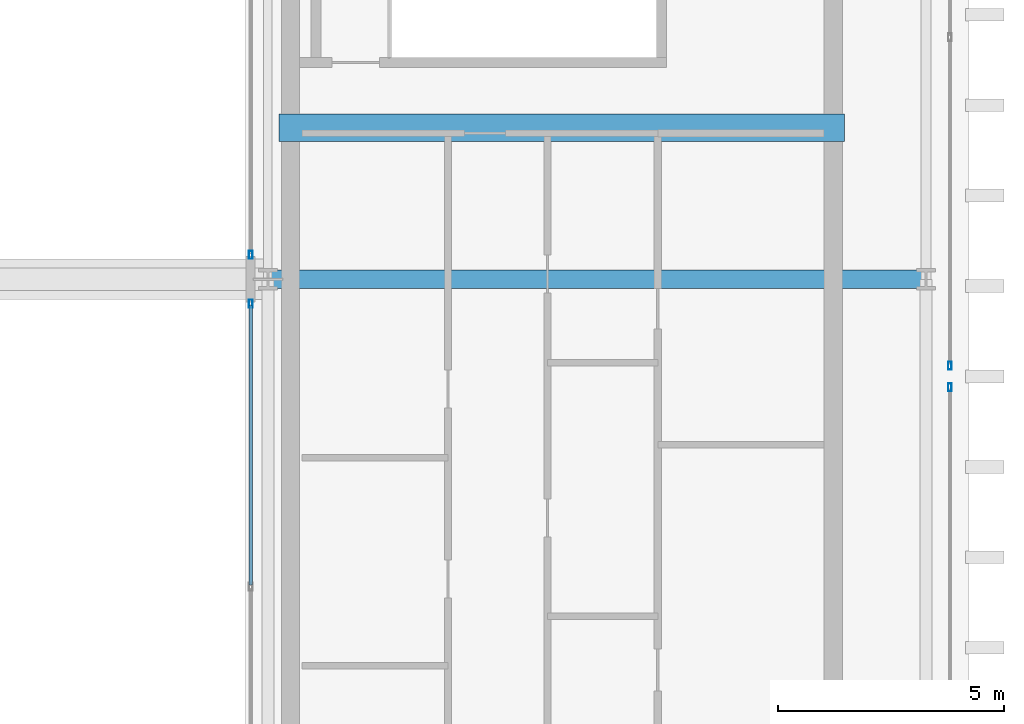
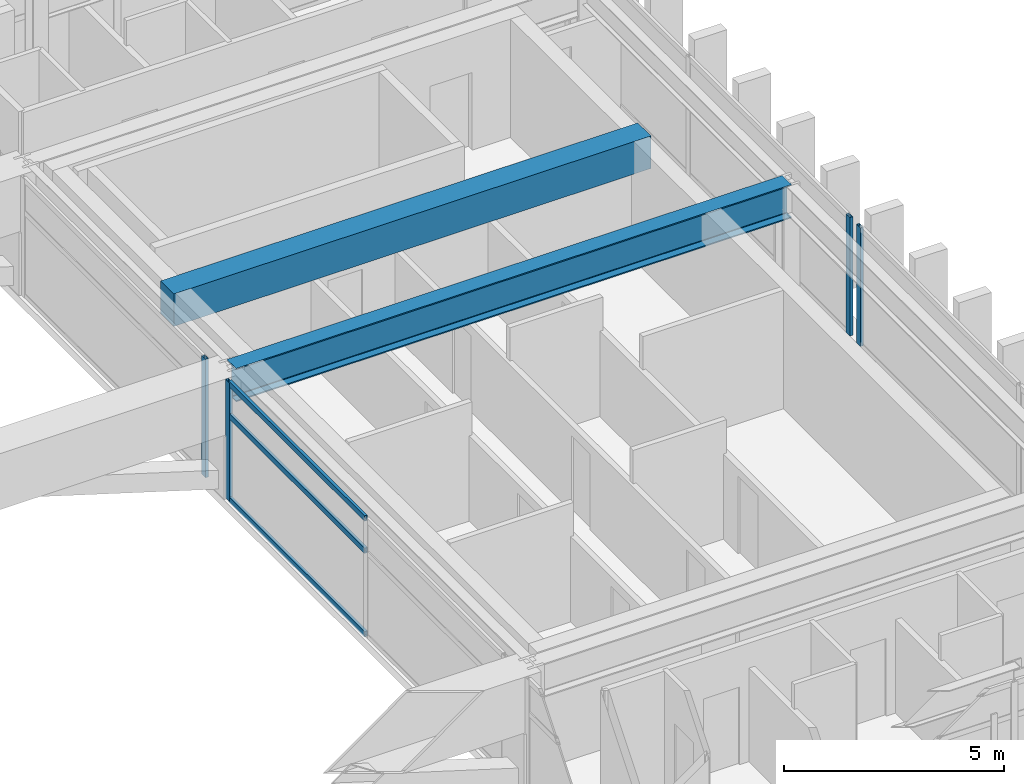
# One storey, part 14 of 28: 7 members, 2 beams, 4 elements without a shape of their own.
"""IFC4 building model written with IfcOpenShell, lengths in metres."""

from ifc_helpers import new_model, si_unit, direction, frame, origin, origin_2d, place, context, subcontext, project, spatial, rectangle, hollow_rectangle, i_section, extrude, source, transform, mapped, material, layer, layer_set, material_profile, profile_set, type_object, element, aggregate, save


model = new_model("IFC4")

# Units and contexts
model_context = context("Model", 3, precision=1e-05, world=origin(), true_north=direction((0.0, 1.0)))
body_context = subcontext(model_context, "Body", "Model", "MODEL_VIEW")
ifc_project = project(units=[si_unit("LENGTHUNIT", "METRE"), si_unit("AREAUNIT", "SQUARE_METRE"), si_unit("VOLUMEUNIT", "CUBIC_METRE"), si_unit("PLANEANGLEUNIT", "RADIAN"), si_unit("MASSUNIT", "GRAM", prefix="KILO")], contexts=[model_context])

# Site, building, storey
site_placement = place(None, origin())
site = spatial("IfcSite", under=ifc_project, at=site_placement, CompositionType="ELEMENT")
building_placement = place(site_placement, origin())
building = spatial("IfcBuilding", under=site, at=building_placement, Name="Ocotamira Hotel", CompositionType="ELEMENT")
storey_placement = place(building_placement, frame((0.0, 0.0, 268.800048828125)))
storey = spatial("IfcBuildingStorey", under=building, at=storey_placement, Name="L68", CompositionType="ELEMENT", Elevation=268.800048828125)

# Beams
ifc_material_1 = material(Name="Concrete C50/60", Category="concrete")
ifc_material_profile_1 = material_profile(ifc_material_1, rectangle(XDim=0.60009765625, YDim=0.89990234375, at=origin_2d()), Name="RC600X900")
ifc_profile_set_1 = profile_set([ifc_material_profile_1], Name="Concrete C50/60")
beam_type_1 = type_object("IfcBeamType", Name="BM-LINK-RC600", PredefinedType="LINTEL", material=ifc_profile_set_1)
shared_shape_1 = source(origin(), body_context, "Body", "SweptSolid", [
    extrude(rectangle(XDim=0.60009765625, YDim=0.89990234375, at=origin_2d()), origin(), (0.0, 0.0, 1.0), 12.5),
])
beam_1_placement = place(storey_placement, frame((40.75, 31.5, 2.829833984375), z_axis=(1.0, 0.0, 0.0), x_axis=(0.0, 1.0, 0.0)))
element("IfcBeam", 1, at=beam_1_placement, inside=storey, type_object=beam_type_1, Name="L68 East Core Coupling Beam", PredefinedType="LINTEL", context=body_context, shape_type="MappedRepresentation", body=[
    mapped(shared_shape_1, transform((0.0, 0.0, 0.0), scale=1.0)),
])
ifc_material_2 = material(Name="Steel ASTM A992 Grade 50", Category="steel")
ifc_material_profile_2 = material_profile(ifc_material_2, i_section(OverallWidth=0.41796875, OverallDepth=0.927001953125, WebThickness=0.019287109375, FlangeThickness=0.031982421875, FilletRadius=0.02392578125, at=origin_2d()), Name="W36X231")
ifc_profile_set_2 = profile_set([ifc_material_profile_2], Name="Steel ASTM A992 Grade 50")
beam_type_2 = type_object("IfcBeamType", Name="BM-GIRD-W36X231", PredefinedType="BEAM", material=ifc_profile_set_2)
shared_shape_2 = source(origin(), body_context, "Body", "SweptSolid", [
    extrude(i_section(OverallWidth=0.41796875, OverallDepth=0.927001953125, WebThickness=0.019287109375, FlangeThickness=0.031982421875, FilletRadius=0.02392578125, at=origin_2d()), origin(), (0.0, 0.0, 1.0), 14.550048828125),
])
beam_2_placement = place(storey_placement, frame((40.5, 28.14990234375, 2.81640625), z_axis=(1.0, 0.0, 0.0), x_axis=(0.0, 1.0, 0.0)))
element("IfcBeam", 2, at=beam_2_placement, inside=storey, type_object=beam_type_2, Name="L68 Girder Y28.15 X40.5-55.05", PredefinedType="BEAM", context=body_context, shape_type="MappedRepresentation", body=[
    mapped(shared_shape_2, transform((0.0, 0.0, 0.0), scale=1.0)),
])

# Curtain wall, member
ifc_material_3 = material(Name="Anodised pale-metal aluminium and solar glass", Category="aluminium")
ifc_layer = layer(ifc_material_3, 0.2099609375)
ifc_layer_set = layer_set([ifc_layer], Name="Anodised pale-metal aluminium and solar glass")
curtain_wall_type = type_object("IfcCurtainWallType", Name="CW-SYS7-PEAK", PredefinedType="NOTDEFINED", material=ifc_layer_set)
curtain_wall_1_placement = place(storey_placement, origin())
curtain_wall_1 = element("IfcCurtainWall", 3, at=curtain_wall_1_placement, inside=storey, type_object=curtain_wall_type, Name="L68 Curtain Wall CW-7 CW-L68-EO1", PredefinedType="NOTDEFINED")
ifc_material_4 = material(Name="Anodised pale-metal aluminium 6063-T6", Category="aluminium")
ifc_material_profile_3 = material_profile(ifc_material_4, hollow_rectangle(XDim=0.080078125, YDim=0.179931640625, WallThickness=0.006103515625, at=origin_2d()), Name="HSS180X80X6")
ifc_profile_set_3 = profile_set([ifc_material_profile_3], Name="Anodised pale-metal aluminium 6063-T6")
member_type_1 = type_object("IfcMemberType", Name="CWM-180X75", PredefinedType="MULLION", material=ifc_profile_set_3)
shared_shape_3 = source(origin(), body_context, "Body", "SweptSolid", [
    extrude(hollow_rectangle(XDim=0.080078125, YDim=0.179931640625, WallThickness=0.006103515625, at=origin_2d()), origin(), (0.0, 0.0, 1.0), 3.280029296875),
])
member_1_placement = place(storey_placement, frame((55.580078125, 25.760009765625, 0.0), z_axis=(0.0, 0.0, 1.0), x_axis=(-1.0, 0.0, 0.0)))
member_1 = element("IfcMember", 4, at=member_1_placement, type_object=member_type_1, Name="CW-7 mullion 3", PredefinedType="MULLION", context=body_context, shape_type="MappedRepresentation", body=[
    mapped(shared_shape_3, transform((0.0, 0.0, 0.0), scale=1.0)),
])
aggregate(curtain_wall_1, [member_1])

curtain_wall_2_placement = place(storey_placement, origin())
curtain_wall_2 = element("IfcCurtainWall", 5, at=curtain_wall_2_placement, inside=storey, type_object=curtain_wall_type, Name="L68 Curtain Wall CW-7 CW-L68-EO2", PredefinedType="NOTDEFINED")
member_2_placement = place(storey_placement, frame((55.580078125, 26.239990234375, 0.0), z_axis=(0.0, 0.0, 1.0), x_axis=(-1.0, 0.0, 0.0)))
member_2 = element("IfcMember", 6, at=member_2_placement, type_object=member_type_1, Name="CW-7 mullion 1", PredefinedType="MULLION", context=body_context, shape_type="MappedRepresentation", body=[
    mapped(shared_shape_3, transform((0.0, 0.0, 0.0), scale=1.0)),
])
aggregate(curtain_wall_2, [member_2])

curtain_wall_3_placement = place(storey_placement, origin())
curtain_wall_3 = element("IfcCurtainWall", 7, at=curtain_wall_3_placement, inside=storey, type_object=curtain_wall_type, Name="L68 Curtain Wall CW-7 CW-L68-EI2", PredefinedType="NOTDEFINED")
member_3_placement = place(storey_placement, frame((40.1201171875, 27.610107421875, 0.0), z_axis=(0.0, 0.0, 1.0), x_axis=(-1.0, 0.0, 0.0)))
member_3 = element("IfcMember", 8, at=member_3_placement, type_object=member_type_1, Name="CW-7 mullion 3", PredefinedType="MULLION", context=body_context, shape_type="MappedRepresentation", body=[
    mapped(shared_shape_3, transform((0.0, 0.0, 0.0), scale=1.0)),
])

curtain_wall_4_placement = place(storey_placement, origin())
curtain_wall_4 = element("IfcCurtainWall", 9, at=curtain_wall_4_placement, inside=storey, type_object=curtain_wall_type, Name="L68 Curtain Wall CW-7 CW-L68-EI3", PredefinedType="NOTDEFINED")
member_4_placement = place(storey_placement, frame((40.1201171875, 28.68994140625, 0.0), z_axis=(0.0, 0.0, 1.0), x_axis=(-1.0, 0.0, 0.0)))
member_4 = element("IfcMember", 10, at=member_4_placement, type_object=member_type_1, Name="CW-7 mullion 1", PredefinedType="MULLION", context=body_context, shape_type="MappedRepresentation", body=[
    mapped(shared_shape_3, transform((0.0, 0.0, 0.0), scale=1.0)),
])
aggregate(curtain_wall_4, [member_4])

# Member
ifc_material_profile_4 = material_profile(ifc_material_4, hollow_rectangle(XDim=0.074951171875, YDim=0.14990234375, WallThickness=0.006103515625, at=origin_2d()), Name="HSS150X75X6")
ifc_profile_set_4 = profile_set([ifc_material_profile_4], Name="Anodised pale-metal aluminium 6063-T6")
member_type_2 = type_object("IfcMemberType", Name="CWT-150X75", PredefinedType="USERDEFINED", material=ifc_profile_set_4)
shared_shape_4 = source(origin(), body_context, "Body", "SweptSolid", [
    extrude(hollow_rectangle(XDim=0.074951171875, YDim=0.14990234375, WallThickness=0.006103515625, at=origin_2d()), origin(), (0.0, 0.0, 1.0), 6.18017578125),
])
member_5_placement = place(storey_placement, frame((40.1201171875, 21.389892578125, 0.037353515625), z_axis=(0.0, 1.0, 0.0), x_axis=(-1.0, 0.0, 0.0)))
member_5 = element("IfcMember", 11, at=member_5_placement, type_object=member_type_2, Name="CW-7 transom 2.1", ObjectType="TRANSOM", PredefinedType="USERDEFINED", context=body_context, shape_type="MappedRepresentation", body=[
    mapped(shared_shape_4, transform((0.0, 0.0, 0.0), scale=1.0)),
])

member_6_placement = place(storey_placement, frame((40.1201171875, 21.389892578125, 2.349853515625), z_axis=(0.0, 1.0, 0.0), x_axis=(-1.0, 0.0, 0.0)))
member_6 = element("IfcMember", 12, at=member_6_placement, type_object=member_type_2, Name="CW-7 transom 2.2", ObjectType="TRANSOM", PredefinedType="USERDEFINED", context=body_context, shape_type="MappedRepresentation", body=[
    mapped(shared_shape_4, transform((0.0, 0.0, 0.0), scale=1.0)),
])

member_7_placement = place(storey_placement, frame((40.1201171875, 21.389892578125, 3.242431640625), z_axis=(0.0, 1.0, 0.0), x_axis=(-1.0, 0.0, 0.0)))
member_7 = element("IfcMember", 13, at=member_7_placement, type_object=member_type_2, Name="CW-7 transom 2.3", ObjectType="TRANSOM", PredefinedType="USERDEFINED", context=body_context, shape_type="MappedRepresentation", body=[
    mapped(shared_shape_4, transform((0.0, 0.0, 0.0), scale=1.0)),
])

aggregate(curtain_wall_3, [member_3, member_5, member_6, member_7])

save(model, "model.ifc")
